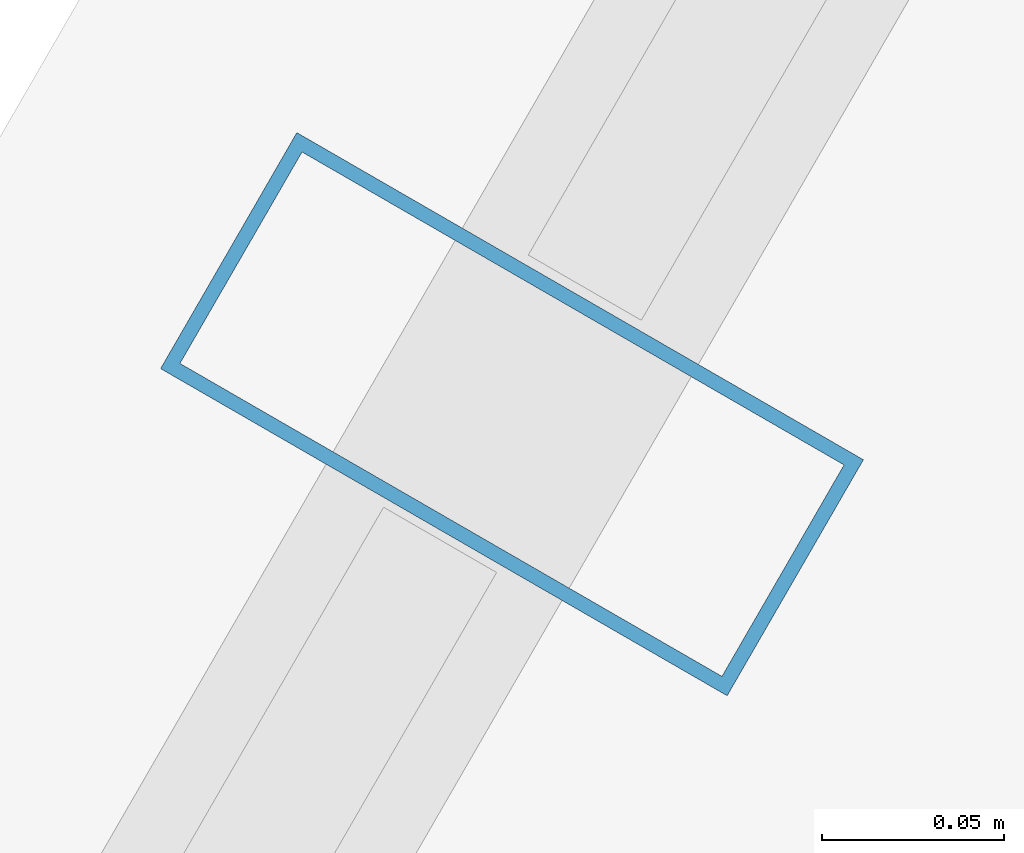
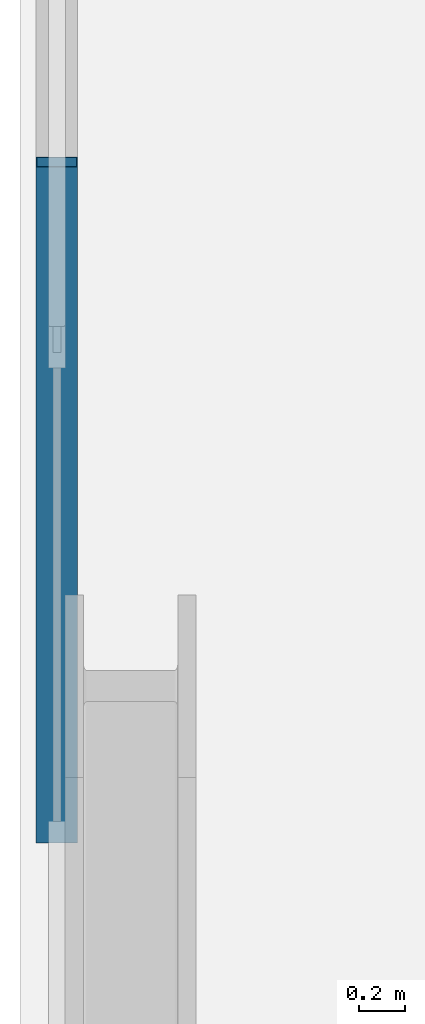
# One storey, part 12 of 33: 1 member, 1 element without a shape of its own.
"""IFC4 building model written with IfcOpenShell, lengths in metres."""

from ifc_helpers import new_model, si_unit, direction, frame, origin, origin_2d, place, context, subcontext, project, spatial, hollow_rectangle, extrude, material, layer, layer_set, material_profile, profile_set, type_object, element, aggregate, save


model = new_model("IFC4")

# Units and contexts
model_context = context("Model", 3, precision=1e-05, world=origin(), true_north=direction((0.0, 1.0)))
body_context = subcontext(model_context, "Body", "Model", "MODEL_VIEW")
ifc_project = project(units=[si_unit("LENGTHUNIT", "METRE"), si_unit("AREAUNIT", "SQUARE_METRE"), si_unit("VOLUMEUNIT", "CUBIC_METRE"), si_unit("PLANEANGLEUNIT", "RADIAN"), si_unit("MASSUNIT", "GRAM", prefix="KILO")], contexts=[model_context])

# Site, building, storey
site_placement = place(None, origin())
site = spatial("IfcSite", under=ifc_project, at=site_placement, CompositionType="ELEMENT")
building_placement = place(site_placement, origin())
building = spatial("IfcBuilding", under=site, at=building_placement, Name="Ndaravel Arena Tower", CompositionType="ELEMENT")
storey_placement = place(building_placement, frame((0.0, 0.0, 36.0)))
storey = spatial("IfcBuildingStorey", under=building, at=storey_placement, Name="L06", CompositionType="ELEMENT", Elevation=36.0)

# Curtain wall, member
ifc_material_1 = material(Name="Aluminium", Category="aluminium")
ifc_layer = layer(ifc_material_1, 0.179931640625)
ifc_layer_set = layer_set([ifc_layer], Name="Aluminium")
curtain_wall_type = type_object("IfcCurtainWallType", Name="CW-SYS-03", PredefinedType="NOTDEFINED", material=ifc_layer_set)
curtain_wall_placement = place(storey_placement, origin())
curtain_wall = element("IfcCurtainWall", 1, at=curtain_wall_placement, inside=storey, type_object=curtain_wall_type, Name="L06 Faceted Crystal Curtain Wall CW-L06-E05", PredefinedType="NOTDEFINED")
ifc_material_2 = material(Name="Aluminium", Category="aluminium")
ifc_material_profile = material_profile(ifc_material_2, hollow_rectangle(XDim=0.074951171875, YDim=0.179931640625, WallThickness=0.00390625, at=origin_2d()), Name="CW MULLION 75x180x4")
ifc_profile_set = profile_set([ifc_material_profile], Name="Aluminium")
member_type = type_object("IfcMemberType", Name="MEM-CW-MUL180", PredefinedType="MULLION", material=ifc_profile_set)
member_placement = place(storey_placement, frame((27.208984375, 34.561279296875, 0.0), z_axis=(0.0, 0.0, 1.0), x_axis=(-0.5, -0.866025403784, 0.0)))
member = element("IfcMember", 2, at=member_placement, type_object=member_type, Name="CW-L06-E05 Mullion 03", PredefinedType="MULLION", context=body_context, shape_type="SweptSolid", body=[
    extrude(hollow_rectangle(XDim=0.074951171875, YDim=0.179931640625, WallThickness=0.00390625, at=origin_2d()), origin(), (0.0, 0.0, 1.0), 3.580078125),
])
aggregate(curtain_wall, [member])

save(model, "model.ifc")
